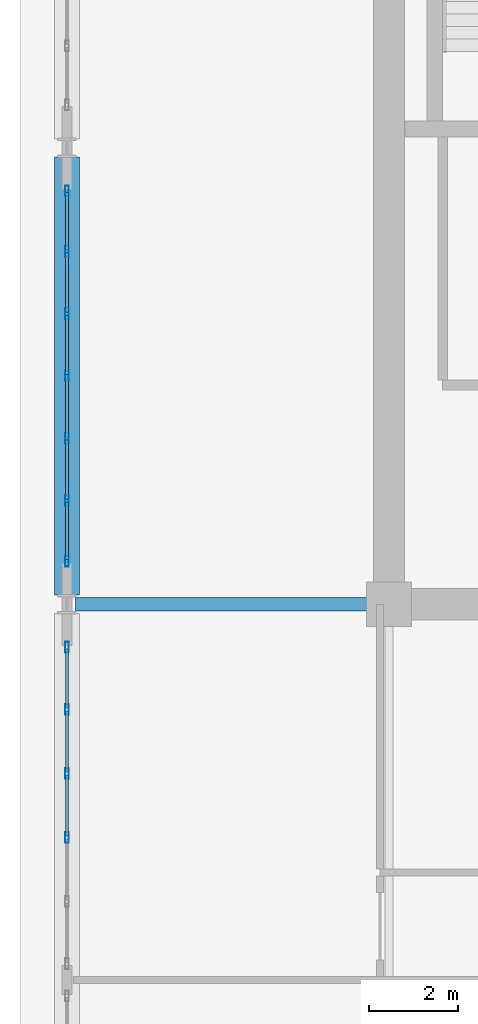
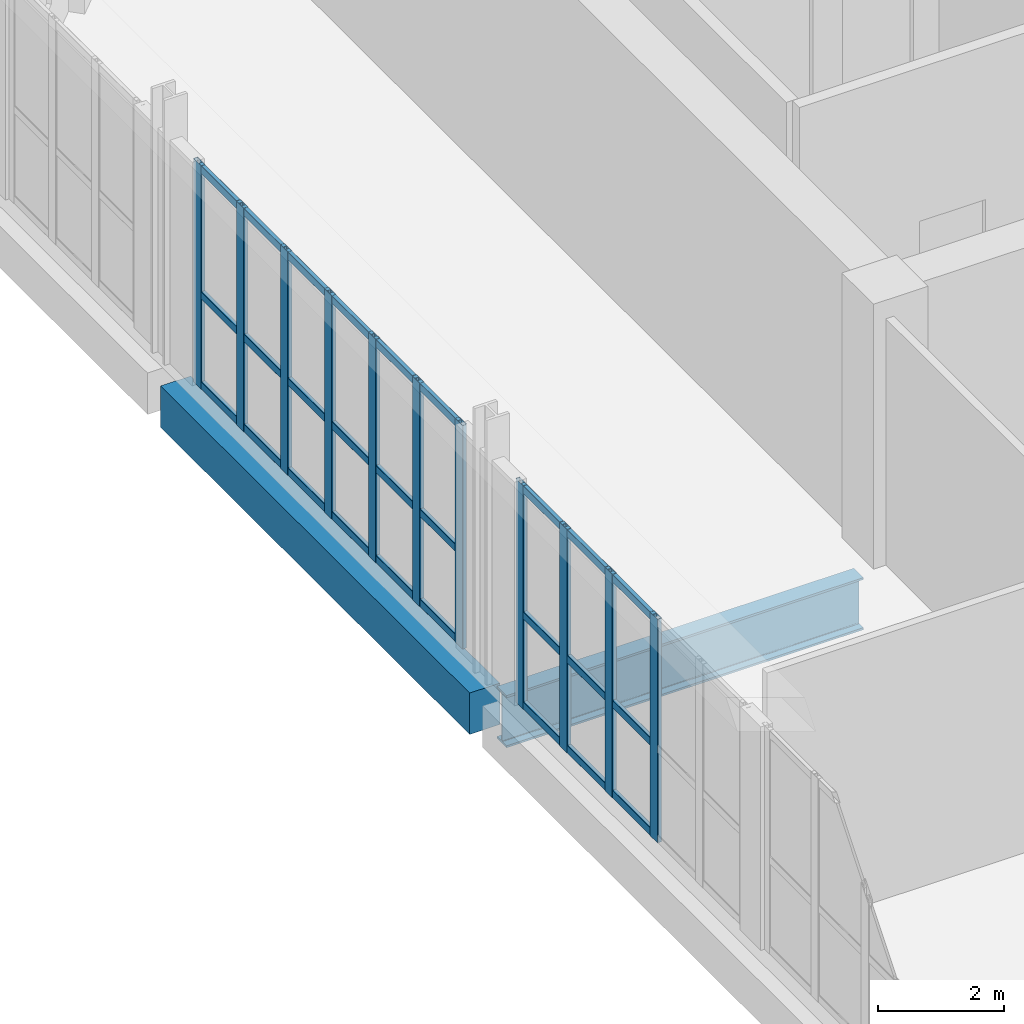
# One storey, part 6 of 26: 38 members, 2 beams, 2 elements without a shape of their own.
"""IFC4 building model written with IfcOpenShell, lengths in metres."""

from ifc_helpers import new_model, si_unit, direction, frame, origin, origin_2d, place, context, subcontext, project, spatial, rectangle, hollow_rectangle, i_section, extrude, material, layer, layer_set, material_profile, profile_set, type_object, element, aggregate, save


model = new_model("IFC4")

# Units and contexts
model_context = context("Model", 3, precision=1e-05, world=origin(), true_north=direction((0.0, 1.0)))
body_context = subcontext(model_context, "Body", "Model", "MODEL_VIEW")
ifc_project = project(units=[si_unit("LENGTHUNIT", "METRE"), si_unit("AREAUNIT", "SQUARE_METRE"), si_unit("VOLUMEUNIT", "CUBIC_METRE"), si_unit("PLANEANGLEUNIT", "RADIAN"), si_unit("MASSUNIT", "GRAM", prefix="KILO")], contexts=[model_context])

# Site, building, storey
site_placement = place(None, origin())
site = spatial("IfcSite", under=ifc_project, at=site_placement, CompositionType="ELEMENT")
building_placement = place(site_placement, origin())
building = spatial("IfcBuilding", under=site, at=building_placement, Name="Kaelvorn Grand Hotel", CompositionType="ELEMENT")
storey_placement = place(building_placement, frame((0.0, 0.0, 300.199951171875)))
storey = spatial("IfcBuildingStorey", under=building, at=storey_placement, Name="L73", CompositionType="ELEMENT", Elevation=300.199951171875)

# Beams
ifc_material_1 = material(Name="Steel S460", Category="steel")
ifc_material_profile_1 = material_profile(ifc_material_1, i_section(OverallWidth=0.302001953125, OverallDepth=1.008056640625, WebThickness=0.02099609375, FlangeThickness=0.0400390625, FilletRadius=0.024169921875, at=origin_2d()), Name="UB 1016x305x349")
ifc_profile_set_1 = profile_set([ifc_material_profile_1], Name="Steel S460")
beam_type_1 = type_object("IfcBeamType", Name="BM-G-UB1016-S460", PredefinedType="BEAM", material=ifc_profile_set_1)
beam_1_placement = place(storey_placement, frame((9.195068359375, 29.39990234375, -0.884033203125), z_axis=(1.0, 0.0, 0.0), x_axis=(0.0, 1.0, 0.0)))
element("IfcBeam", 1, at=beam_1_placement, inside=storey, type_object=beam_type_1, Name="L73 West Core Wing Steel Girder G-29W 01", PredefinedType="BEAM", context=body_context, shape_type="SweptSolid", body=[
    extrude(i_section(OverallWidth=0.302001953125, OverallDepth=1.008056640625, WebThickness=0.02099609375, FlangeThickness=0.0400390625, FilletRadius=0.024169921875, at=origin_2d()), origin(), (0.0, 0.0, 1.0), 6.52001953125),
])
ifc_material_2 = material(Name="Concrete C50/60", Category="concrete")
ifc_material_profile_2 = material_profile(ifc_material_2, rectangle(XDim=0.550048828125, YDim=0.800048828125, at=origin_2d()), Name="RC SPANDREL 550x800")
ifc_profile_set_2 = profile_set([ifc_material_profile_2], Name="Concrete C50/60")
beam_type_2 = type_object("IfcBeamType", Name="BM-SP-550x800-C50", PredefinedType="SPANDREL", material=ifc_profile_set_2)
beam_2_placement = place(storey_placement, frame((9.0, 29.60498046875, -0.780029296875), z_axis=(0.0, 1.0, 0.0), x_axis=(-1.0, 0.0, 0.0)))
element("IfcBeam", 2, at=beam_2_placement, inside=storey, type_object=beam_type_2, Name="L73 West Perimeter Spandrel 03", PredefinedType="SPANDREL", context=body_context, shape_type="SweptSolid", body=[
    extrude(rectangle(XDim=0.550048828125, YDim=0.800048828125, at=origin_2d()), origin(), (0.0, 0.0, 1.0), 9.7900390625),
])

# Curtain wall, members
ifc_material_3 = material(Name="Anodised Aluminium", Category="aluminium")
ifc_layer = layer(ifc_material_3, 0.239990234375)
ifc_layer_set = layer_set([ifc_layer], Name="Anodised Aluminium")
curtain_wall_type = type_object("IfcCurtainWallType", Name="CW-SYS5", PredefinedType="NOTDEFINED", material=ifc_layer_set)
curtain_wall_1_placement = place(storey_placement, origin())
curtain_wall_1 = element("IfcCurtainWall", 3, at=curtain_wall_1_placement, inside=storey, type_object=curtain_wall_type, Name="L73 Unitised Curtain Wall CW5 (CW-L73-W-04)", PredefinedType="NOTDEFINED")
ifc_material_profile_3 = material_profile(ifc_material_3, hollow_rectangle(XDim=0.080078125, YDim=0.239990234375, WallThickness=0.0048828125, InnerFilletRadius=0.0048828125, OuterFilletRadius=0.010009765625, at=origin_2d()), Name="ALU MULL 80x240")
ifc_profile_set_3 = profile_set([ifc_material_profile_3], Name="Anodised Aluminium")
member_type_1 = type_object("IfcMemberType", Name="CW-SYS5-MULL", PredefinedType="MULLION", material=ifc_profile_set_3)
member_1_placement = place(storey_placement, frame((9.0, 38.639892578125, 0.0), z_axis=(0.0, 0.0, 1.0), x_axis=(1.0, 0.0, 0.0)))
member_1 = element("IfcMember", 4, at=member_1_placement, type_object=member_type_1, Name="CW5 mullion 1", PredefinedType="MULLION", context=body_context, shape_type="SweptSolid", body=[
    extrude(hollow_rectangle(XDim=0.080078125, YDim=0.239990234375, WallThickness=0.0048828125, InnerFilletRadius=0.0048828125, OuterFilletRadius=0.010009765625, at=origin_2d()), origin(), (0.0, 0.0, 1.0), 4.320068359375),
])
member_2_placement = place(storey_placement, frame((9.0, 37.28662109375, 0.0), z_axis=(0.0, 0.0, 1.0), x_axis=(1.0, 0.0, 0.0)))
member_2 = element("IfcMember", 5, at=member_2_placement, type_object=member_type_1, Name="CW5 mullion 2", PredefinedType="MULLION", context=body_context, shape_type="SweptSolid", body=[
    extrude(hollow_rectangle(XDim=0.080078125, YDim=0.239990234375, WallThickness=0.0048828125, InnerFilletRadius=0.0048828125, OuterFilletRadius=0.010009765625, at=origin_2d()), origin(), (0.0, 0.0, 1.0), 4.320068359375),
])
member_3_placement = place(storey_placement, frame((9.0, 35.893310546875, 0.0), z_axis=(0.0, 0.0, 1.0), x_axis=(1.0, 0.0, 0.0)))
member_3 = element("IfcMember", 6, at=member_3_placement, type_object=member_type_1, Name="CW5 mullion 3", PredefinedType="MULLION", context=body_context, shape_type="SweptSolid", body=[
    extrude(hollow_rectangle(XDim=0.080078125, YDim=0.239990234375, WallThickness=0.0048828125, InnerFilletRadius=0.0048828125, OuterFilletRadius=0.010009765625, at=origin_2d()), origin(), (0.0, 0.0, 1.0), 4.320068359375),
])
member_4_placement = place(storey_placement, frame((9.0, 34.5, 0.0), z_axis=(0.0, 0.0, 1.0), x_axis=(1.0, 0.0, 0.0)))
member_4 = element("IfcMember", 7, at=member_4_placement, type_object=member_type_1, Name="CW5 mullion 4", PredefinedType="MULLION", context=body_context, shape_type="SweptSolid", body=[
    extrude(hollow_rectangle(XDim=0.080078125, YDim=0.239990234375, WallThickness=0.0048828125, InnerFilletRadius=0.0048828125, OuterFilletRadius=0.010009765625, at=origin_2d()), origin(), (0.0, 0.0, 1.0), 4.320068359375),
])
member_5_placement = place(storey_placement, frame((9.0, 33.106689453125, 0.0), z_axis=(0.0, 0.0, 1.0), x_axis=(1.0, 0.0, 0.0)))
member_5 = element("IfcMember", 8, at=member_5_placement, type_object=member_type_1, Name="CW5 mullion 5", PredefinedType="MULLION", context=body_context, shape_type="SweptSolid", body=[
    extrude(hollow_rectangle(XDim=0.080078125, YDim=0.239990234375, WallThickness=0.0048828125, InnerFilletRadius=0.0048828125, OuterFilletRadius=0.010009765625, at=origin_2d()), origin(), (0.0, 0.0, 1.0), 4.320068359375),
])
member_6_placement = place(storey_placement, frame((9.0, 31.71337890625, 0.0), z_axis=(0.0, 0.0, 1.0), x_axis=(1.0, 0.0, 0.0)))
member_6 = element("IfcMember", 9, at=member_6_placement, type_object=member_type_1, Name="CW5 mullion 6", PredefinedType="MULLION", context=body_context, shape_type="SweptSolid", body=[
    extrude(hollow_rectangle(XDim=0.080078125, YDim=0.239990234375, WallThickness=0.0048828125, InnerFilletRadius=0.0048828125, OuterFilletRadius=0.010009765625, at=origin_2d()), origin(), (0.0, 0.0, 1.0), 4.320068359375),
])
member_7_placement = place(storey_placement, frame((9.0, 30.360107421875, 0.0), z_axis=(0.0, 0.0, 1.0), x_axis=(1.0, 0.0, 0.0)))
member_7 = element("IfcMember", 10, at=member_7_placement, type_object=member_type_1, Name="CW5 mullion 7", PredefinedType="MULLION", context=body_context, shape_type="SweptSolid", body=[
    extrude(hollow_rectangle(XDim=0.080078125, YDim=0.239990234375, WallThickness=0.0048828125, InnerFilletRadius=0.0048828125, OuterFilletRadius=0.010009765625, at=origin_2d()), origin(), (0.0, 0.0, 1.0), 4.320068359375),
])

curtain_wall_2_placement = place(storey_placement, origin())
curtain_wall_2 = element("IfcCurtainWall", 11, at=curtain_wall_2_placement, inside=storey, type_object=curtain_wall_type, Name="L73 Unitised Curtain Wall CW5 (CW-L73-W-03)", PredefinedType="NOTDEFINED")
member_8_placement = place(storey_placement, frame((9.0, 28.43994140625, 0.0), z_axis=(0.0, 0.0, 1.0), x_axis=(1.0, 0.0, 0.0)))
member_8 = element("IfcMember", 12, at=member_8_placement, type_object=member_type_1, Name="CW5 mullion 1", PredefinedType="MULLION", context=body_context, shape_type="SweptSolid", body=[
    extrude(hollow_rectangle(XDim=0.080078125, YDim=0.239990234375, WallThickness=0.0048828125, InnerFilletRadius=0.0048828125, OuterFilletRadius=0.010009765625, at=origin_2d()), origin(), (0.0, 0.0, 1.0), 4.320068359375),
])
member_9_placement = place(storey_placement, frame((9.0, 27.048095703125, 0.0), z_axis=(0.0, 0.0, 1.0), x_axis=(1.0, 0.0, 0.0)))
member_9 = element("IfcMember", 13, at=member_9_placement, type_object=member_type_1, Name="CW5 mullion 2", PredefinedType="MULLION", context=body_context, shape_type="SweptSolid", body=[
    extrude(hollow_rectangle(XDim=0.080078125, YDim=0.239990234375, WallThickness=0.0048828125, InnerFilletRadius=0.0048828125, OuterFilletRadius=0.010009765625, at=origin_2d()), origin(), (0.0, 0.0, 1.0), 4.320068359375),
])
member_10_placement = place(storey_placement, frame((9.0, 25.615966796875, 0.0), z_axis=(0.0, 0.0, 1.0), x_axis=(1.0, 0.0, 0.0)))
member_10 = element("IfcMember", 14, at=member_10_placement, type_object=member_type_1, Name="CW5 mullion 3", PredefinedType="MULLION", context=body_context, shape_type="SweptSolid", body=[
    extrude(hollow_rectangle(XDim=0.080078125, YDim=0.239990234375, WallThickness=0.0048828125, InnerFilletRadius=0.0048828125, OuterFilletRadius=0.010009765625, at=origin_2d()), origin(), (0.0, 0.0, 1.0), 4.320068359375),
])
member_11_placement = place(storey_placement, frame((9.0, 24.18408203125, 0.0), z_axis=(0.0, 0.0, 1.0), x_axis=(1.0, 0.0, 0.0)))
member_11 = element("IfcMember", 15, at=member_11_placement, type_object=member_type_1, Name="CW5 mullion 4", PredefinedType="MULLION", context=body_context, shape_type="SweptSolid", body=[
    extrude(hollow_rectangle(XDim=0.080078125, YDim=0.239990234375, WallThickness=0.0048828125, InnerFilletRadius=0.0048828125, OuterFilletRadius=0.010009765625, at=origin_2d()), origin(), (0.0, 0.0, 1.0), 4.320068359375),
])

# Member
ifc_material_profile_4 = material_profile(ifc_material_3, hollow_rectangle(XDim=0.074951171875, YDim=0.14990234375, WallThickness=0.00390625, InnerFilletRadius=0.00390625, OuterFilletRadius=0.008056640625, at=origin_2d()), Name="ALU TRAN 75x150")
ifc_profile_set_4 = profile_set([ifc_material_profile_4], Name="Anodised Aluminium")
member_type_2 = type_object("IfcMemberType", Name="CW-SYS5-TRAN", PredefinedType="NOTDEFINED", material=ifc_profile_set_4)
member_12_placement = place(storey_placement, frame((9.0, 38.60009765625, 0.074951171875), z_axis=(0.0, -1.0, 0.0), x_axis=(1.0, 0.0, 0.0)))
member_12 = element("IfcMember", 16, at=member_12_placement, type_object=member_type_2, Name="CW5 transom 1.1", ObjectType="TRANSOM", PredefinedType="USERDEFINED", context=body_context, shape_type="SweptSolid", body=[
    extrude(hollow_rectangle(XDim=0.074951171875, YDim=0.14990234375, WallThickness=0.00390625, InnerFilletRadius=0.00390625, OuterFilletRadius=0.008056640625, at=origin_2d()), origin(), (0.0, 0.0, 1.0), 1.2734375),
])

member_13_placement = place(storey_placement, frame((9.0, 38.60009765625, 1.814453125), z_axis=(0.0, -1.0, 0.0), x_axis=(1.0, 0.0, 0.0)))
member_13 = element("IfcMember", 17, at=member_13_placement, type_object=member_type_2, Name="CW5 transom 1.2", ObjectType="TRANSOM", PredefinedType="USERDEFINED", context=body_context, shape_type="SweptSolid", body=[
    extrude(hollow_rectangle(XDim=0.074951171875, YDim=0.14990234375, WallThickness=0.00390625, InnerFilletRadius=0.00390625, OuterFilletRadius=0.008056640625, at=origin_2d()), origin(), (0.0, 0.0, 1.0), 1.2734375),
])

member_14_placement = place(storey_placement, frame((9.0, 38.60009765625, 4.2451171875), z_axis=(0.0, -1.0, 0.0), x_axis=(1.0, 0.0, 0.0)))
member_14 = element("IfcMember", 18, at=member_14_placement, type_object=member_type_2, Name="CW5 transom 1.3", ObjectType="TRANSOM", PredefinedType="USERDEFINED", context=body_context, shape_type="SweptSolid", body=[
    extrude(hollow_rectangle(XDim=0.074951171875, YDim=0.14990234375, WallThickness=0.00390625, InnerFilletRadius=0.00390625, OuterFilletRadius=0.008056640625, at=origin_2d()), origin(), (0.0, 0.0, 1.0), 1.2734375),
])

member_15_placement = place(storey_placement, frame((9.0, 37.24658203125, 0.074951171875), z_axis=(0.0, -1.0, 0.0), x_axis=(1.0, 0.0, 0.0)))
member_15 = element("IfcMember", 19, at=member_15_placement, type_object=member_type_2, Name="CW5 transom 2.1", ObjectType="TRANSOM", PredefinedType="USERDEFINED", context=body_context, shape_type="SweptSolid", body=[
    extrude(hollow_rectangle(XDim=0.074951171875, YDim=0.14990234375, WallThickness=0.00390625, InnerFilletRadius=0.00390625, OuterFilletRadius=0.008056640625, at=origin_2d()), origin(), (0.0, 0.0, 1.0), 1.313232421875),
])

member_16_placement = place(storey_placement, frame((9.0, 37.24658203125, 1.814453125), z_axis=(0.0, -1.0, 0.0), x_axis=(1.0, 0.0, 0.0)))
member_16 = element("IfcMember", 20, at=member_16_placement, type_object=member_type_2, Name="CW5 transom 2.2", ObjectType="TRANSOM", PredefinedType="USERDEFINED", context=body_context, shape_type="SweptSolid", body=[
    extrude(hollow_rectangle(XDim=0.074951171875, YDim=0.14990234375, WallThickness=0.00390625, InnerFilletRadius=0.00390625, OuterFilletRadius=0.008056640625, at=origin_2d()), origin(), (0.0, 0.0, 1.0), 1.313232421875),
])

member_17_placement = place(storey_placement, frame((9.0, 37.24658203125, 4.2451171875), z_axis=(0.0, -1.0, 0.0), x_axis=(1.0, 0.0, 0.0)))
member_17 = element("IfcMember", 21, at=member_17_placement, type_object=member_type_2, Name="CW5 transom 2.3", ObjectType="TRANSOM", PredefinedType="USERDEFINED", context=body_context, shape_type="SweptSolid", body=[
    extrude(hollow_rectangle(XDim=0.074951171875, YDim=0.14990234375, WallThickness=0.00390625, InnerFilletRadius=0.00390625, OuterFilletRadius=0.008056640625, at=origin_2d()), origin(), (0.0, 0.0, 1.0), 1.313232421875),
])

member_18_placement = place(storey_placement, frame((9.0, 35.853271484375, 0.074951171875), z_axis=(0.0, -1.0, 0.0), x_axis=(1.0, 0.0, 0.0)))
member_18 = element("IfcMember", 22, at=member_18_placement, type_object=member_type_2, Name="CW5 transom 3.1", ObjectType="TRANSOM", PredefinedType="USERDEFINED", context=body_context, shape_type="SweptSolid", body=[
    extrude(hollow_rectangle(XDim=0.074951171875, YDim=0.14990234375, WallThickness=0.00390625, InnerFilletRadius=0.00390625, OuterFilletRadius=0.008056640625, at=origin_2d()), origin(), (0.0, 0.0, 1.0), 1.313232421875),
])

member_19_placement = place(storey_placement, frame((9.0, 35.853271484375, 1.814453125), z_axis=(0.0, -1.0, 0.0), x_axis=(1.0, 0.0, 0.0)))
member_19 = element("IfcMember", 23, at=member_19_placement, type_object=member_type_2, Name="CW5 transom 3.2", ObjectType="TRANSOM", PredefinedType="USERDEFINED", context=body_context, shape_type="SweptSolid", body=[
    extrude(hollow_rectangle(XDim=0.074951171875, YDim=0.14990234375, WallThickness=0.00390625, InnerFilletRadius=0.00390625, OuterFilletRadius=0.008056640625, at=origin_2d()), origin(), (0.0, 0.0, 1.0), 1.313232421875),
])

member_20_placement = place(storey_placement, frame((9.0, 35.853271484375, 4.2451171875), z_axis=(0.0, -1.0, 0.0), x_axis=(1.0, 0.0, 0.0)))
member_20 = element("IfcMember", 24, at=member_20_placement, type_object=member_type_2, Name="CW5 transom 3.3", ObjectType="TRANSOM", PredefinedType="USERDEFINED", context=body_context, shape_type="SweptSolid", body=[
    extrude(hollow_rectangle(XDim=0.074951171875, YDim=0.14990234375, WallThickness=0.00390625, InnerFilletRadius=0.00390625, OuterFilletRadius=0.008056640625, at=origin_2d()), origin(), (0.0, 0.0, 1.0), 1.313232421875),
])

member_21_placement = place(storey_placement, frame((9.0, 34.4599609375, 0.074951171875), z_axis=(0.0, -1.0, 0.0), x_axis=(1.0, 0.0, 0.0)))
member_21 = element("IfcMember", 25, at=member_21_placement, type_object=member_type_2, Name="CW5 transom 4.1", ObjectType="TRANSOM", PredefinedType="USERDEFINED", context=body_context, shape_type="SweptSolid", body=[
    extrude(hollow_rectangle(XDim=0.074951171875, YDim=0.14990234375, WallThickness=0.00390625, InnerFilletRadius=0.00390625, OuterFilletRadius=0.008056640625, at=origin_2d()), origin(), (0.0, 0.0, 1.0), 1.313232421875),
])

member_22_placement = place(storey_placement, frame((9.0, 34.4599609375, 1.814453125), z_axis=(0.0, -1.0, 0.0), x_axis=(1.0, 0.0, 0.0)))
member_22 = element("IfcMember", 26, at=member_22_placement, type_object=member_type_2, Name="CW5 transom 4.2", ObjectType="TRANSOM", PredefinedType="USERDEFINED", context=body_context, shape_type="SweptSolid", body=[
    extrude(hollow_rectangle(XDim=0.074951171875, YDim=0.14990234375, WallThickness=0.00390625, InnerFilletRadius=0.00390625, OuterFilletRadius=0.008056640625, at=origin_2d()), origin(), (0.0, 0.0, 1.0), 1.313232421875),
])

member_23_placement = place(storey_placement, frame((9.0, 34.4599609375, 4.2451171875), z_axis=(0.0, -1.0, 0.0), x_axis=(1.0, 0.0, 0.0)))
member_23 = element("IfcMember", 27, at=member_23_placement, type_object=member_type_2, Name="CW5 transom 4.3", ObjectType="TRANSOM", PredefinedType="USERDEFINED", context=body_context, shape_type="SweptSolid", body=[
    extrude(hollow_rectangle(XDim=0.074951171875, YDim=0.14990234375, WallThickness=0.00390625, InnerFilletRadius=0.00390625, OuterFilletRadius=0.008056640625, at=origin_2d()), origin(), (0.0, 0.0, 1.0), 1.313232421875),
])

member_24_placement = place(storey_placement, frame((9.0, 33.066650390625, 0.074951171875), z_axis=(0.0, -1.0, 0.0), x_axis=(1.0, 0.0, 0.0)))
member_24 = element("IfcMember", 28, at=member_24_placement, type_object=member_type_2, Name="CW5 transom 5.1", ObjectType="TRANSOM", PredefinedType="USERDEFINED", context=body_context, shape_type="SweptSolid", body=[
    extrude(hollow_rectangle(XDim=0.074951171875, YDim=0.14990234375, WallThickness=0.00390625, InnerFilletRadius=0.00390625, OuterFilletRadius=0.008056640625, at=origin_2d()), origin(), (0.0, 0.0, 1.0), 1.313232421875),
])

member_25_placement = place(storey_placement, frame((9.0, 33.066650390625, 1.814453125), z_axis=(0.0, -1.0, 0.0), x_axis=(1.0, 0.0, 0.0)))
member_25 = element("IfcMember", 29, at=member_25_placement, type_object=member_type_2, Name="CW5 transom 5.2", ObjectType="TRANSOM", PredefinedType="USERDEFINED", context=body_context, shape_type="SweptSolid", body=[
    extrude(hollow_rectangle(XDim=0.074951171875, YDim=0.14990234375, WallThickness=0.00390625, InnerFilletRadius=0.00390625, OuterFilletRadius=0.008056640625, at=origin_2d()), origin(), (0.0, 0.0, 1.0), 1.313232421875),
])

member_26_placement = place(storey_placement, frame((9.0, 33.066650390625, 4.2451171875), z_axis=(0.0, -1.0, 0.0), x_axis=(1.0, 0.0, 0.0)))
member_26 = element("IfcMember", 30, at=member_26_placement, type_object=member_type_2, Name="CW5 transom 5.3", ObjectType="TRANSOM", PredefinedType="USERDEFINED", context=body_context, shape_type="SweptSolid", body=[
    extrude(hollow_rectangle(XDim=0.074951171875, YDim=0.14990234375, WallThickness=0.00390625, InnerFilletRadius=0.00390625, OuterFilletRadius=0.008056640625, at=origin_2d()), origin(), (0.0, 0.0, 1.0), 1.313232421875),
])

member_27_placement = place(storey_placement, frame((9.0, 31.67333984375, 0.074951171875), z_axis=(0.0, -1.0, 0.0), x_axis=(1.0, 0.0, 0.0)))
member_27 = element("IfcMember", 31, at=member_27_placement, type_object=member_type_2, Name="CW5 transom 6.1", ObjectType="TRANSOM", PredefinedType="USERDEFINED", context=body_context, shape_type="SweptSolid", body=[
    extrude(hollow_rectangle(XDim=0.074951171875, YDim=0.14990234375, WallThickness=0.00390625, InnerFilletRadius=0.00390625, OuterFilletRadius=0.008056640625, at=origin_2d()), origin(), (0.0, 0.0, 1.0), 1.2734375),
])

member_28_placement = place(storey_placement, frame((9.0, 31.67333984375, 1.814453125), z_axis=(0.0, -1.0, 0.0), x_axis=(1.0, 0.0, 0.0)))
member_28 = element("IfcMember", 32, at=member_28_placement, type_object=member_type_2, Name="CW5 transom 6.2", ObjectType="TRANSOM", PredefinedType="USERDEFINED", context=body_context, shape_type="SweptSolid", body=[
    extrude(hollow_rectangle(XDim=0.074951171875, YDim=0.14990234375, WallThickness=0.00390625, InnerFilletRadius=0.00390625, OuterFilletRadius=0.008056640625, at=origin_2d()), origin(), (0.0, 0.0, 1.0), 1.2734375),
])

member_29_placement = place(storey_placement, frame((9.0, 31.67333984375, 4.2451171875), z_axis=(0.0, -1.0, 0.0), x_axis=(1.0, 0.0, 0.0)))
member_29 = element("IfcMember", 33, at=member_29_placement, type_object=member_type_2, Name="CW5 transom 6.3", ObjectType="TRANSOM", PredefinedType="USERDEFINED", context=body_context, shape_type="SweptSolid", body=[
    extrude(hollow_rectangle(XDim=0.074951171875, YDim=0.14990234375, WallThickness=0.00390625, InnerFilletRadius=0.00390625, OuterFilletRadius=0.008056640625, at=origin_2d()), origin(), (0.0, 0.0, 1.0), 1.2734375),
])

aggregate(curtain_wall_1, [member_1, member_2, member_3, member_4, member_5, member_6, member_7, member_12, member_13, member_14, member_15, member_16, member_17, member_18, member_19, member_20, member_21, member_22, member_23, member_24, member_25, member_26, member_27, member_28, member_29])

member_30_placement = place(storey_placement, frame((9.0, 28.39990234375, 0.074951171875), z_axis=(0.0, -1.0, 0.0), x_axis=(1.0, 0.0, 0.0)))
member_30 = element("IfcMember", 34, at=member_30_placement, type_object=member_type_2, Name="CW5 transom 1.1", ObjectType="TRANSOM", PredefinedType="USERDEFINED", context=body_context, shape_type="SweptSolid", body=[
    extrude(hollow_rectangle(XDim=0.074951171875, YDim=0.14990234375, WallThickness=0.00390625, InnerFilletRadius=0.00390625, OuterFilletRadius=0.008056640625, at=origin_2d()), origin(), (0.0, 0.0, 1.0), 1.31201171875),
])

member_31_placement = place(storey_placement, frame((9.0, 28.39990234375, 1.814453125), z_axis=(0.0, -1.0, 0.0), x_axis=(1.0, 0.0, 0.0)))
member_31 = element("IfcMember", 35, at=member_31_placement, type_object=member_type_2, Name="CW5 transom 1.2", ObjectType="TRANSOM", PredefinedType="USERDEFINED", context=body_context, shape_type="SweptSolid", body=[
    extrude(hollow_rectangle(XDim=0.074951171875, YDim=0.14990234375, WallThickness=0.00390625, InnerFilletRadius=0.00390625, OuterFilletRadius=0.008056640625, at=origin_2d()), origin(), (0.0, 0.0, 1.0), 1.31201171875),
])

member_32_placement = place(storey_placement, frame((9.0, 28.39990234375, 4.2451171875), z_axis=(0.0, -1.0, 0.0), x_axis=(1.0, 0.0, 0.0)))
member_32 = element("IfcMember", 36, at=member_32_placement, type_object=member_type_2, Name="CW5 transom 1.3", ObjectType="TRANSOM", PredefinedType="USERDEFINED", context=body_context, shape_type="SweptSolid", body=[
    extrude(hollow_rectangle(XDim=0.074951171875, YDim=0.14990234375, WallThickness=0.00390625, InnerFilletRadius=0.00390625, OuterFilletRadius=0.008056640625, at=origin_2d()), origin(), (0.0, 0.0, 1.0), 1.31201171875),
])

member_33_placement = place(storey_placement, frame((9.0, 27.008056640625, 0.074951171875), z_axis=(0.0, -1.0, 0.0), x_axis=(1.0, 0.0, 0.0)))
member_33 = element("IfcMember", 37, at=member_33_placement, type_object=member_type_2, Name="CW5 transom 2.1", ObjectType="TRANSOM", PredefinedType="USERDEFINED", context=body_context, shape_type="SweptSolid", body=[
    extrude(hollow_rectangle(XDim=0.074951171875, YDim=0.14990234375, WallThickness=0.00390625, InnerFilletRadius=0.00390625, OuterFilletRadius=0.008056640625, at=origin_2d()), origin(), (0.0, 0.0, 1.0), 1.35205078125),
])

member_34_placement = place(storey_placement, frame((9.0, 27.008056640625, 1.814453125), z_axis=(0.0, -1.0, 0.0), x_axis=(1.0, 0.0, 0.0)))
member_34 = element("IfcMember", 38, at=member_34_placement, type_object=member_type_2, Name="CW5 transom 2.2", ObjectType="TRANSOM", PredefinedType="USERDEFINED", context=body_context, shape_type="SweptSolid", body=[
    extrude(hollow_rectangle(XDim=0.074951171875, YDim=0.14990234375, WallThickness=0.00390625, InnerFilletRadius=0.00390625, OuterFilletRadius=0.008056640625, at=origin_2d()), origin(), (0.0, 0.0, 1.0), 1.35205078125),
])

member_35_placement = place(storey_placement, frame((9.0, 27.008056640625, 4.2451171875), z_axis=(0.0, -1.0, 0.0), x_axis=(1.0, 0.0, 0.0)))
member_35 = element("IfcMember", 39, at=member_35_placement, type_object=member_type_2, Name="CW5 transom 2.3", ObjectType="TRANSOM", PredefinedType="USERDEFINED", context=body_context, shape_type="SweptSolid", body=[
    extrude(hollow_rectangle(XDim=0.074951171875, YDim=0.14990234375, WallThickness=0.00390625, InnerFilletRadius=0.00390625, OuterFilletRadius=0.008056640625, at=origin_2d()), origin(), (0.0, 0.0, 1.0), 1.35205078125),
])

member_36_placement = place(storey_placement, frame((9.0, 25.575927734375, 0.074951171875), z_axis=(0.0, -1.0, 0.0), x_axis=(1.0, 0.0, 0.0)))
member_36 = element("IfcMember", 40, at=member_36_placement, type_object=member_type_2, Name="CW5 transom 3.1", ObjectType="TRANSOM", PredefinedType="USERDEFINED", context=body_context, shape_type="SweptSolid", body=[
    extrude(hollow_rectangle(XDim=0.074951171875, YDim=0.14990234375, WallThickness=0.00390625, InnerFilletRadius=0.00390625, OuterFilletRadius=0.008056640625, at=origin_2d()), origin(), (0.0, 0.0, 1.0), 1.351806640625),
])

member_37_placement = place(storey_placement, frame((9.0, 25.575927734375, 1.814453125), z_axis=(0.0, -1.0, 0.0), x_axis=(1.0, 0.0, 0.0)))
member_37 = element("IfcMember", 41, at=member_37_placement, type_object=member_type_2, Name="CW5 transom 3.2", ObjectType="TRANSOM", PredefinedType="USERDEFINED", context=body_context, shape_type="SweptSolid", body=[
    extrude(hollow_rectangle(XDim=0.074951171875, YDim=0.14990234375, WallThickness=0.00390625, InnerFilletRadius=0.00390625, OuterFilletRadius=0.008056640625, at=origin_2d()), origin(), (0.0, 0.0, 1.0), 1.351806640625),
])

member_38_placement = place(storey_placement, frame((9.0, 25.575927734375, 4.2451171875), z_axis=(0.0, -1.0, 0.0), x_axis=(1.0, 0.0, 0.0)))
member_38 = element("IfcMember", 42, at=member_38_placement, type_object=member_type_2, Name="CW5 transom 3.3", ObjectType="TRANSOM", PredefinedType="USERDEFINED", context=body_context, shape_type="SweptSolid", body=[
    extrude(hollow_rectangle(XDim=0.074951171875, YDim=0.14990234375, WallThickness=0.00390625, InnerFilletRadius=0.00390625, OuterFilletRadius=0.008056640625, at=origin_2d()), origin(), (0.0, 0.0, 1.0), 1.351806640625),
])

aggregate(curtain_wall_2, [member_8, member_9, member_10, member_11, member_30, member_31, member_32, member_33, member_34, member_35, member_36, member_37, member_38])

save(model, "model.ifc")
